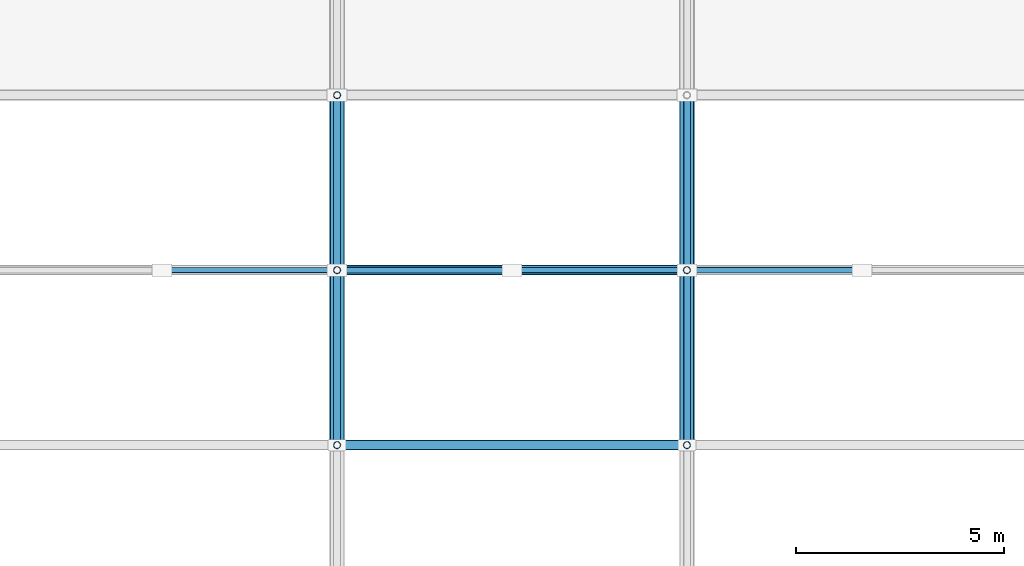
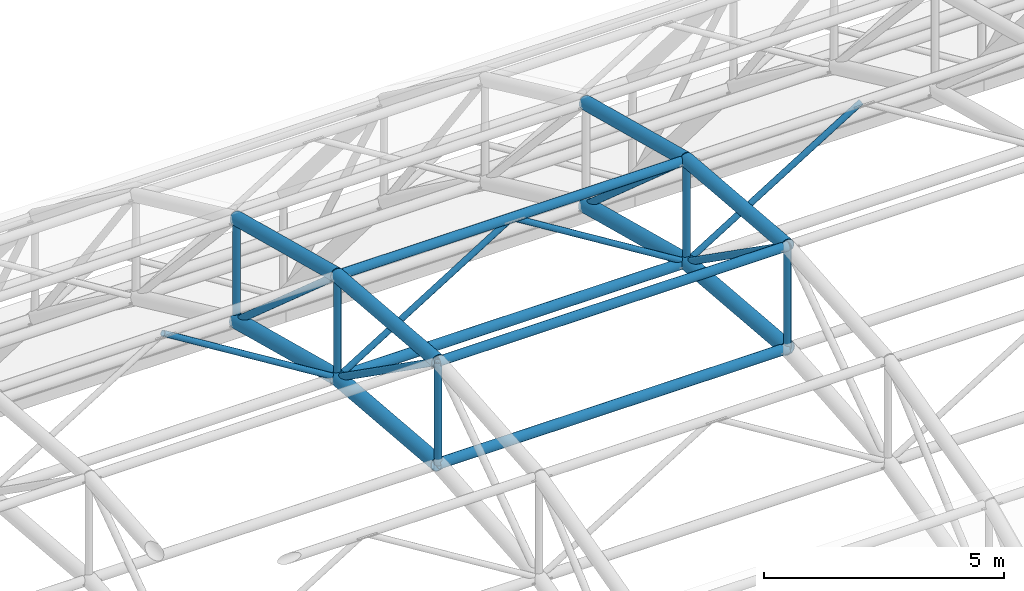
# One storey, part 35 of 103: 17 members, 8 beams.
"""IFC4 building model written with IfcOpenShell, lengths in metres."""

from ifc_helpers import new_model, si_unit, direction, frame, origin, origin_2d, place, context, subcontext, project, spatial, hollow_circle, extrude, material, material_profile, profile_set, type_object, element, save


model = new_model("IFC4")

# Units and contexts
model_context = context("Model", 3, precision=1e-05, world=origin(), true_north=direction((0.0, 1.0)))
body_context = subcontext(model_context, "Body", "Model", "MODEL_VIEW")
ifc_project = project(units=[si_unit("LENGTHUNIT", "METRE"), si_unit("AREAUNIT", "SQUARE_METRE"), si_unit("VOLUMEUNIT", "CUBIC_METRE"), si_unit("PLANEANGLEUNIT", "RADIAN"), si_unit("MASSUNIT", "GRAM", prefix="KILO")], contexts=[model_context])

# Site, building, storey
site_placement = place(None, origin())
site = spatial("IfcSite", under=ifc_project, at=site_placement, CompositionType="ELEMENT")
building_placement = place(site_placement, origin())
building = spatial("IfcBuilding", under=site, at=building_placement, Name="Varnapada Polytechnic", CompositionType="ELEMENT")
storey_placement = place(building_placement, frame((0.0, 0.0, 18.0)))
storey = spatial("IfcBuildingStorey", under=building, at=storey_placement, Name="L04", CompositionType="ELEMENT", Elevation=18.0)

# Members
ifc_material = material(Name="Steel S355", Category="steel")
ifc_material_profile_1 = material_profile(ifc_material, hollow_circle(Radius=0.122314453125, WallThickness=0.008056640625, at=origin_2d()), Name="CHS 244.5x8.0")
ifc_profile_set_1 = profile_set([ifc_material_profile_1], Name="Steel S355")
member_type_1 = type_object("IfcMemberType", Name="Vaulted space frame longitudinal bottom chord SFC-01 (CHS 244.5x8.0)", PredefinedType="CHORD", material=ifc_profile_set_1)
for number, where, z_axis, x_axis, name in (
    (1, (67.199951171875, 105.0, 11.435302734375), (1.0, 0.0, 0.0), (0.0, 1.0, 0.0), "Vaulted space frame longitudinal bottom chord 3.6"),
    (2, (67.199951171875, 109.199951171875, 11.080078125), (1.0, 0.0, 0.0), (0.0, 1.0, 0.0), "Vaulted space frame longitudinal bottom chord 3.7"),
):
    element("IfcMember", number, at=place(storey_placement, frame(where, z_axis=z_axis, x_axis=x_axis)), inside=storey, type_object=member_type_1, Name=name, PredefinedType="CHORD", context=body_context, shape_type="SweptSolid", body=[
        extrude(hollow_circle(Radius=0.122314453125, WallThickness=0.008056640625, at=origin_2d()), origin(), (0.0, 0.0, 1.0), 8.400146484375),
    ])
ifc_material_profile_2 = material_profile(ifc_material, hollow_circle(Radius=0.109619140625, WallThickness=0.008056640625, at=origin_2d()), Name="CHS 219.1x8.0")
ifc_profile_set_2 = profile_set([ifc_material_profile_2], Name="Steel S355")
member_type_2 = type_object("IfcMemberType", Name="Vaulted space frame longitudinal top chord SFC-02 (CHS 219.1x8.0)", PredefinedType="CHORD", material=ifc_profile_set_2)
for number, where, z_axis, x_axis, name in (
    (3, (67.199951171875, 105.0, 14.035400390625), (1.0, 0.0, 0.0), (0.0, 1.0, 0.0), "Vaulted space frame longitudinal top chord 3.6"),
    (4, (67.199951171875, 109.199951171875, 13.679931640625), (1.0, 0.0, 0.0), (0.0, 1.0, 0.0), "Vaulted space frame longitudinal top chord 3.7"),
):
    element("IfcMember", number, at=place(storey_placement, frame(where, z_axis=z_axis, x_axis=x_axis)), inside=storey, type_object=member_type_2, Name=name, PredefinedType="CHORD", context=body_context, shape_type="SweptSolid", body=[
        extrude(hollow_circle(Radius=0.109619140625, WallThickness=0.008056640625, at=origin_2d()), origin(), (0.0, 0.0, 1.0), 8.400146484375),
    ])

# Beams
ifc_material_profile_3 = material_profile(ifc_material, hollow_circle(Radius=0.177734375, WallThickness=0.012451171875, at=origin_2d()), Name="CHS 355.6x12.5")
ifc_profile_set_3 = profile_set([ifc_material_profile_3], Name="Steel S355")
beam_type_1 = type_object("IfcBeamType", Name="Vaulted space frame primary arch rib VA-01 (CHS 355.6x12.5)", PredefinedType="BEAM", material=ifc_profile_set_3)
beam_1_placement = place(storey_placement, frame((67.199951171875, 105.0, 11.435302734375), z_axis=(0.0, 0.99644233396, -0.084277369988), x_axis=(-1.0, 0.0, 0.0)))
element("IfcBeam", 5, at=beam_1_placement, inside=storey, type_object=beam_type_1, Name="Vaulted space frame bottom arch chord 3.6", PredefinedType="BEAM", context=body_context, shape_type="SweptSolid", body=[
    extrude(hollow_circle(Radius=0.177734375, WallThickness=0.012451171875, at=origin_2d()), origin(), (0.0, 0.0, 1.0), 4.21484375),
])
beam_2_placement = place(storey_placement, frame((67.199951171875, 109.199951171875, 11.080078125), z_axis=(0.0, 0.967476176159, -0.252962148484), x_axis=(-1.0, 0.0, 0.0)))
element("IfcBeam", 6, at=beam_2_placement, inside=storey, type_object=beam_type_1, Name="Vaulted space frame bottom arch chord 3.7", PredefinedType="BEAM", context=body_context, shape_type="SweptSolid", body=[
    extrude(hollow_circle(Radius=0.177734375, WallThickness=0.012451171875, at=origin_2d()), origin(), (0.0, 0.0, 1.0), 4.341064453125),
])
beam_3_placement = place(storey_placement, frame((75.60009765625, 105.0, 11.435302734375), z_axis=(0.0, 0.99644233396, -0.084277369988), x_axis=(-1.0, 0.0, 0.0)))
element("IfcBeam", 7, at=beam_3_placement, inside=storey, type_object=beam_type_1, Name="Vaulted space frame bottom arch chord 4.6", PredefinedType="BEAM", context=body_context, shape_type="SweptSolid", body=[
    extrude(hollow_circle(Radius=0.177734375, WallThickness=0.012451171875, at=origin_2d()), origin(), (0.0, 0.0, 1.0), 4.21484375),
])
beam_4_placement = place(storey_placement, frame((75.60009765625, 109.199951171875, 11.080078125), z_axis=(0.0, 0.967476176159, -0.252962148484), x_axis=(-1.0, 0.0, 0.0)))
element("IfcBeam", 8, at=beam_4_placement, inside=storey, type_object=beam_type_1, Name="Vaulted space frame bottom arch chord 4.7", PredefinedType="BEAM", context=body_context, shape_type="SweptSolid", body=[
    extrude(hollow_circle(Radius=0.177734375, WallThickness=0.012451171875, at=origin_2d()), origin(), (0.0, 0.0, 1.0), 4.341064453125),
])

# Members
ifc_material_profile_4 = material_profile(ifc_material, hollow_circle(Radius=0.084228515625, WallThickness=0.00634765625, at=origin_2d()), Name="CHS 168.3x6.3")
ifc_profile_set_4 = profile_set([ifc_material_profile_4], Name="Steel S355")
member_type_3 = type_object("IfcMemberType", Name="Vaulted space frame primary web diagonal SFB-01 (CHS 168.3x6.3)", PredefinedType="BRACE", material=ifc_profile_set_4)
member_1_placement = place(storey_placement, frame((67.199951171875, 105.0, 14.035400390625), z_axis=(0.0, 0.817824649693, -0.575467498956), x_axis=(-1.0, 0.0, 0.0)))
element("IfcMember", 9, at=member_1_placement, inside=storey, type_object=member_type_3, Name="Vaulted space frame web diagonal 3.6", PredefinedType="BRACE", context=body_context, shape_type="SweptSolid", body=[
    extrude(hollow_circle(Radius=0.084228515625, WallThickness=0.00634765625, at=origin_2d()), origin(), (0.0, 0.0, 1.0), 5.135498046875),
])
member_2_placement = place(storey_placement, frame((67.199951171875, 109.199951171875, 13.679931640625), z_axis=(0.0, 0.750532603682, -0.660833421378), x_axis=(-1.0, 0.0, 0.0)))
element("IfcMember", 10, at=member_2_placement, inside=storey, type_object=member_type_3, Name="Vaulted space frame web diagonal 3.7", PredefinedType="BRACE", context=body_context, shape_type="SweptSolid", body=[
    extrude(hollow_circle(Radius=0.084228515625, WallThickness=0.00634765625, at=origin_2d()), origin(), (0.0, 0.0, 1.0), 5.595947265625),
])
member_3_placement = place(storey_placement, frame((75.60009765625, 105.0, 14.035400390625), z_axis=(0.0, 0.817824649693, -0.575467498956), x_axis=(-1.0, 0.0, 0.0)))
element("IfcMember", 11, at=member_3_placement, inside=storey, type_object=member_type_3, Name="Vaulted space frame web diagonal 4.6", PredefinedType="BRACE", context=body_context, shape_type="SweptSolid", body=[
    extrude(hollow_circle(Radius=0.084228515625, WallThickness=0.00634765625, at=origin_2d()), origin(), (0.0, 0.0, 1.0), 5.135498046875),
])
member_4_placement = place(storey_placement, frame((75.60009765625, 109.199951171875, 13.679931640625), z_axis=(0.0, 0.750532603682, -0.660833421378), x_axis=(-1.0, 0.0, 0.0)))
element("IfcMember", 12, at=member_4_placement, inside=storey, type_object=member_type_3, Name="Vaulted space frame web diagonal 4.7", PredefinedType="BRACE", context=body_context, shape_type="SweptSolid", body=[
    extrude(hollow_circle(Radius=0.084228515625, WallThickness=0.00634765625, at=origin_2d()), origin(), (0.0, 0.0, 1.0), 5.595947265625),
])
ifc_material_profile_5 = material_profile(ifc_material, hollow_circle(Radius=0.084228515625, WallThickness=0.00634765625, at=origin_2d()), Name="CHS 168.3x6.3")
ifc_profile_set_5 = profile_set([ifc_material_profile_5], Name="Steel S355")
member_type_4 = type_object("IfcMemberType", Name="Vaulted space frame radial web strut SFS-01 (CHS 168.3x6.3)", PredefinedType="STRUT", material=ifc_profile_set_5)
member_5_placement = place(storey_placement, frame((67.199951171875, 105.0, 11.435302734375), z_axis=(0.0, 0.0, 1.0), x_axis=(1.0, 0.0, 0.0)))
element("IfcMember", 13, at=member_5_placement, inside=storey, type_object=member_type_4, Name="Vaulted space frame strut 3.6", PredefinedType="STRUT", context=body_context, shape_type="SweptSolid", body=[
    extrude(hollow_circle(Radius=0.084228515625, WallThickness=0.00634765625, at=origin_2d()), origin(), (0.0, 0.0, 1.0), 2.60009765625),
])
for number, where, z_axis, x_axis, name in (
    (14, (67.199951171875, 109.199951171875, 11.080078125), (0.0, 0.0, 1.0), (1.0, 0.0, 0.0), "Vaulted space frame strut 3.7"),
    (15, (67.199951171875, 113.39990234375, 9.98193359375), (0.0, 0.0, 1.0), (1.0, 0.0, 0.0), "Vaulted space frame strut 3.8"),
):
    element("IfcMember", number, at=place(storey_placement, frame(where, z_axis=z_axis, x_axis=x_axis)), inside=storey, type_object=member_type_4, Name=name, PredefinedType="STRUT", context=body_context, shape_type="SweptSolid", body=[
        extrude(hollow_circle(Radius=0.084228515625, WallThickness=0.00634765625, at=origin_2d()), origin(), (0.0, 0.0, 1.0), 2.599853515625),
    ])
member_6_placement = place(storey_placement, frame((75.60009765625, 105.0, 11.435302734375), z_axis=(0.0, 0.0, 1.0), x_axis=(1.0, 0.0, 0.0)))
element("IfcMember", 16, at=member_6_placement, inside=storey, type_object=member_type_4, Name="Vaulted space frame strut 4.6", PredefinedType="STRUT", context=body_context, shape_type="SweptSolid", body=[
    extrude(hollow_circle(Radius=0.084228515625, WallThickness=0.00634765625, at=origin_2d()), origin(), (0.0, 0.0, 1.0), 2.60009765625),
])
member_7_placement = place(storey_placement, frame((75.60009765625, 109.199951171875, 11.080078125), z_axis=(0.0, 0.0, 1.0), x_axis=(1.0, 0.0, 0.0)))
element("IfcMember", 17, at=member_7_placement, inside=storey, type_object=member_type_4, Name="Vaulted space frame strut 4.7", PredefinedType="STRUT", context=body_context, shape_type="SweptSolid", body=[
    extrude(hollow_circle(Radius=0.084228515625, WallThickness=0.00634765625, at=origin_2d()), origin(), (0.0, 0.0, 1.0), 2.599853515625),
])
ifc_material_profile_6 = material_profile(ifc_material, hollow_circle(Radius=0.06982421875, WallThickness=0.0048828125, at=origin_2d()), Name="CHS 139.7x5.0")
ifc_profile_set_6 = profile_set([ifc_material_profile_6], Name="Steel S355")
member_type_5 = type_object("IfcMemberType", Name="Vaulted space frame secondary web diagonal SFB-02 (CHS 139.7x5.0)", PredefinedType="BRACE", material=ifc_profile_set_6)
for number, where, z_axis, x_axis, name in (
    (18, (67.199951171875, 109.199951171875, 11.080078125), (-0.85027567993, 0.0, 0.526337598999), (0.0, -1.0, 0.0), "Vaulted space frame longitudinal brace 2.7B"),
    (19, (67.199951171875, 109.199951171875, 11.080078125), (0.85027567993, 0.0, 0.526337598999), (0.0, 1.0, 0.0), "Vaulted space frame longitudinal brace 3.7A"),
):
    element("IfcMember", number, at=place(storey_placement, frame(where, z_axis=z_axis, x_axis=x_axis)), inside=storey, type_object=member_type_5, Name=name, PredefinedType="BRACE", context=body_context, shape_type="SweptSolid", body=[
        extrude(hollow_circle(Radius=0.06982421875, WallThickness=0.0048828125, at=origin_2d()), origin(), (0.0, 0.0, 1.0), 4.939453125),
    ])
member_8_placement = place(storey_placement, frame((75.60009765625, 109.199951171875, 11.080078125), z_axis=(-0.850289371618, 0.0, 0.526315480025), x_axis=(0.0, -1.0, 0.0)))
element("IfcMember", 20, at=member_8_placement, inside=storey, type_object=member_type_5, Name="Vaulted space frame longitudinal brace 3.7B", PredefinedType="BRACE", context=body_context, shape_type="SweptSolid", body=[
    extrude(hollow_circle(Radius=0.06982421875, WallThickness=0.0048828125, at=origin_2d()), origin(), (0.0, 0.0, 1.0), 4.939697265625),
])
member_9_placement = place(storey_placement, frame((75.60009765625, 109.199951171875, 11.080078125), z_axis=(0.85027567993, 0.0, 0.526337598999), x_axis=(0.0, 1.0, 0.0)))
element("IfcMember", 21, at=member_9_placement, inside=storey, type_object=member_type_5, Name="Vaulted space frame longitudinal brace 4.7A", PredefinedType="BRACE", context=body_context, shape_type="SweptSolid", body=[
    extrude(hollow_circle(Radius=0.06982421875, WallThickness=0.0048828125, at=origin_2d()), origin(), (0.0, 0.0, 1.0), 4.939453125),
])

# Beams
ifc_material_profile_7 = material_profile(ifc_material, hollow_circle(Radius=0.161865234375, WallThickness=0.010009765625, at=origin_2d()), Name="CHS 323.9x10.0")
ifc_profile_set_7 = profile_set([ifc_material_profile_7], Name="Steel S355")
beam_type_2 = type_object("IfcBeamType", Name="Vaulted space frame upper arch rib VA-02 (CHS 323.9x10.0)", PredefinedType="BEAM", material=ifc_profile_set_7)
beam_5_placement = place(storey_placement, frame((67.199951171875, 105.0, 14.035400390625), z_axis=(0.0, 0.996437468128, -0.084334880753), x_axis=(-1.0, 0.0, 0.0)))
element("IfcBeam", 22, at=beam_5_placement, inside=storey, type_object=beam_type_2, Name="Vaulted space frame top arch chord 3.6", PredefinedType="BEAM", context=body_context, shape_type="SweptSolid", body=[
    extrude(hollow_circle(Radius=0.161865234375, WallThickness=0.010009765625, at=origin_2d()), origin(), (0.0, 0.0, 1.0), 4.215087890625),
])
beam_6_placement = place(storey_placement, frame((67.199951171875, 109.199951171875, 13.679931640625), z_axis=(0.0, 0.967476176159, -0.252962148484), x_axis=(-1.0, 0.0, 0.0)))
element("IfcBeam", 23, at=beam_6_placement, inside=storey, type_object=beam_type_2, Name="Vaulted space frame top arch chord 3.7", PredefinedType="BEAM", context=body_context, shape_type="SweptSolid", body=[
    extrude(hollow_circle(Radius=0.161865234375, WallThickness=0.010009765625, at=origin_2d()), origin(), (0.0, 0.0, 1.0), 4.341064453125),
])
beam_7_placement = place(storey_placement, frame((75.60009765625, 105.0, 14.035400390625), z_axis=(0.0, 0.996437468128, -0.084334880753), x_axis=(-1.0, 0.0, 0.0)))
element("IfcBeam", 24, at=beam_7_placement, inside=storey, type_object=beam_type_2, Name="Vaulted space frame top arch chord 4.6", PredefinedType="BEAM", context=body_context, shape_type="SweptSolid", body=[
    extrude(hollow_circle(Radius=0.161865234375, WallThickness=0.010009765625, at=origin_2d()), origin(), (0.0, 0.0, 1.0), 4.215087890625),
])
beam_8_placement = place(storey_placement, frame((75.60009765625, 109.199951171875, 13.679931640625), z_axis=(0.0, 0.967476176159, -0.252962148484), x_axis=(-1.0, 0.0, 0.0)))
element("IfcBeam", 25, at=beam_8_placement, inside=storey, type_object=beam_type_2, Name="Vaulted space frame top arch chord 4.7", PredefinedType="BEAM", context=body_context, shape_type="SweptSolid", body=[
    extrude(hollow_circle(Radius=0.161865234375, WallThickness=0.010009765625, at=origin_2d()), origin(), (0.0, 0.0, 1.0), 4.341064453125),
])

save(model, "model.ifc")
